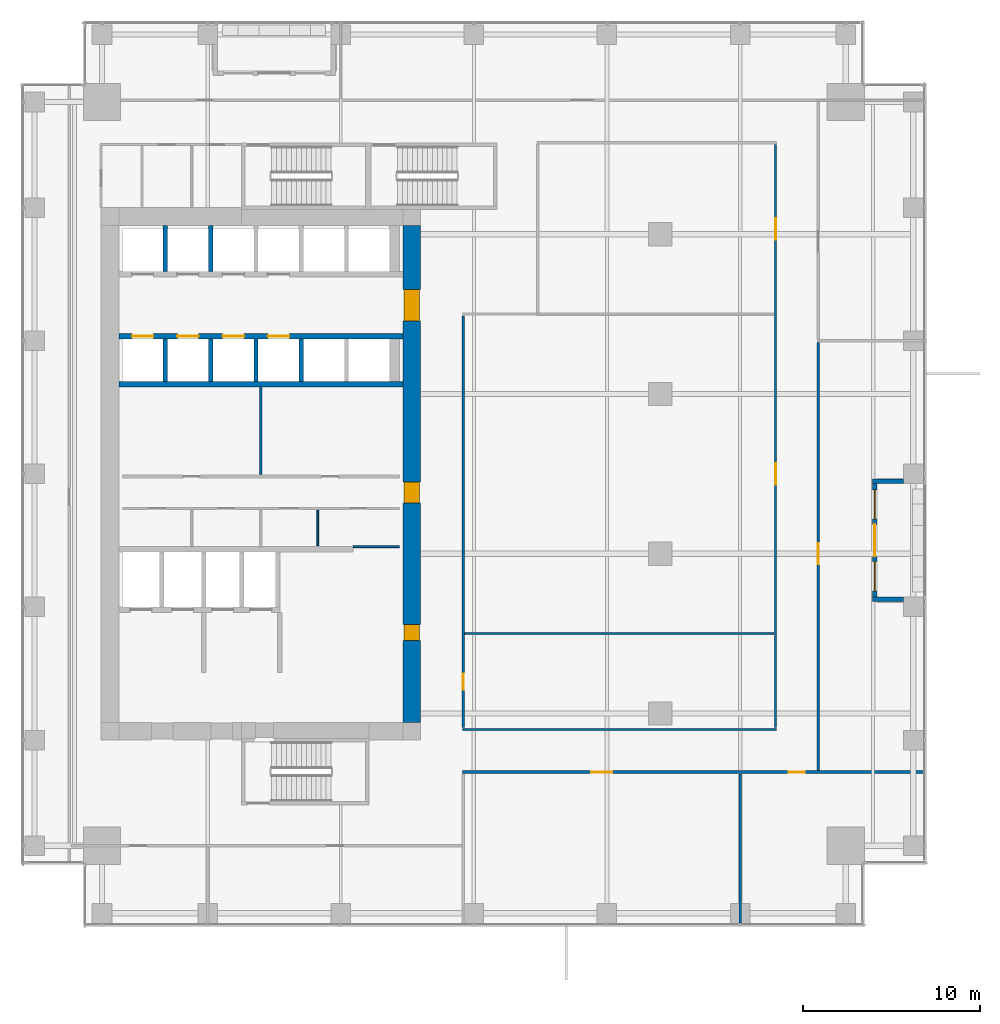
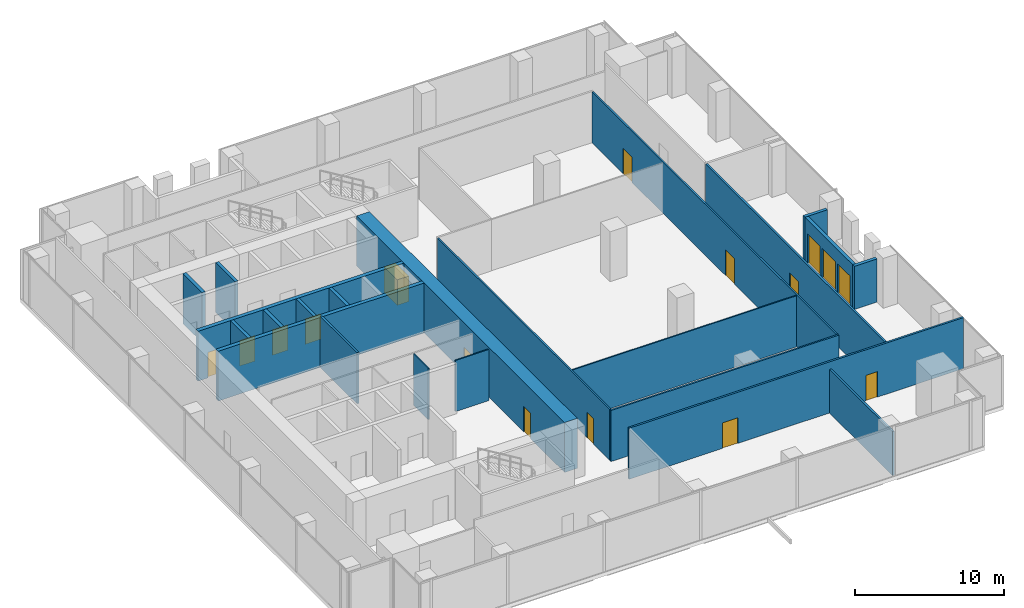
# One storey, part 29 of 34: 22 walls, 14 doors, 2 windows, 16 openings.
"""IFC4 building model written with IfcOpenShell, lengths in metres."""

from ifc_helpers import new_model, si_unit, direction, frame, frame_2d, origin, place, context, subcontext, project, spatial, rectangle, extrude, source, transform, mapped, material, layer, layer_set, type_object, element, fill, save


model = new_model("IFC4")

# Units and contexts
model_context = context("Model", 3, precision=1e-05, world=origin(), true_north=direction((0.0, 1.0)))
body_context = subcontext(model_context, "Body", "Model", "MODEL_VIEW")
ifc_project = project(units=[si_unit("LENGTHUNIT", "METRE"), si_unit("AREAUNIT", "SQUARE_METRE"), si_unit("VOLUMEUNIT", "CUBIC_METRE"), si_unit("PLANEANGLEUNIT", "RADIAN"), si_unit("MASSUNIT", "GRAM", prefix="KILO")], contexts=[model_context])

# Site, building, storey
site_placement = place(None, origin())
site = spatial("IfcSite", under=ifc_project, at=site_placement, CompositionType="ELEMENT")
building_placement = place(site_placement, origin())
building = spatial("IfcBuilding", under=site, at=building_placement, Name="Khomas Fold Tower", CompositionType="ELEMENT")
storey_placement = place(building_placement, frame((0.0, 0.0, 145.5)))
storey = spatial("IfcBuildingStorey", under=building, at=storey_placement, Name="L31", CompositionType="ELEMENT", Elevation=145.5)

# Wall, openings, doors
ifc_material_1 = material(Name="Concrete C70/85", Category="concrete")
ifc_layer_1 = layer(ifc_material_1, 1.0)
ifc_layer_set_1 = layer_set([ifc_layer_1], Name="Concrete C70/85")
wall_type_1 = type_object("IfcWallType", Name="Core wall 1000", PredefinedType="SHEAR", material=ifc_layer_set_1)
shared_shape_1 = source(origin(), body_context, "Body", "SweptSolid", [
    extrude(rectangle(XDim=28.0, YDim=1.0, at=frame_2d((14.0, 0.0))), origin(), (0.0, 0.0, 1.0), 4.10009765625),
])
wall_1_placement = place(storey_placement, frame((23.5, 13.0, 0.0), z_axis=(0.0, 0.0, 1.0), x_axis=(0.0, 1.0, 0.0)))
wall_1 = element("IfcWall", 1, at=wall_1_placement, inside=storey, type_object=wall_type_1, Name="Core wall CW-L-E-L21", PredefinedType="SHEAR", context=body_context, shape_type="MappedRepresentation", body=[
    mapped(shared_shape_1, transform((0.0, 0.0, 0.0))),
])
shared_shape_2 = source(origin(), body_context, "Body", "SweptSolid", [
    extrude(rectangle(XDim=1.800048828125, YDim=2.10009765625, at=frame_2d((0.89990234375, 1.050048828125))), frame((0.0, 0.510009765625, 0.0), z_axis=(0.0, -1.0, 0.0), x_axis=(1.0, 0.0, 0.0)), (0.0, 0.0, 1.0), 1.02001953125),
])
opening_1_placement = place(wall_1_placement, frame((22.60009765625, 0.0, 0.0)))
opening_1 = element("IfcOpeningElement", 2, at=opening_1_placement, cuts=wall_1, Name="Opening 0015", PredefinedType="OPENING", context=body_context, shape_type="MappedRepresentation", body=[
    mapped(shared_shape_2, transform((0.0, 0.0, 0.0))),
])
shared_shape_3 = source(origin(), body_context, "Body", "SweptSolid", [
    extrude(rectangle(XDim=1.199951171875, YDim=2.10009765625, at=frame_2d((0.60009765625, 1.050048828125))), frame((0.0, 0.510009765625, 0.0), z_axis=(0.0, -1.0, 0.0), x_axis=(1.0, 0.0, 0.0)), (0.0, 0.0, 1.0), 1.02001953125),
])
opening_2_placement = place(wall_1_placement, frame((12.35009765625, 0.0, 0.0)))
opening_2 = element("IfcOpeningElement", 3, at=opening_2_placement, cuts=wall_1, Name="Opening 0001", PredefinedType="OPENING", context=body_context, shape_type="MappedRepresentation", body=[
    mapped(shared_shape_3, transform((0.0, 0.0, 0.0))),
])
shared_shape_4 = source(origin(), body_context, "Body", "SweptSolid", [
    extrude(rectangle(XDim=0.89990234375, YDim=2.10009765625, at=frame_2d((0.449951171875, 1.050048828125))), frame((0.0, 0.510009765625, 0.0), z_axis=(0.0, -1.0, 0.0), x_axis=(1.0, 0.0, 0.0)), (0.0, 0.0, 1.0), 1.02001953125),
])
opening_3_placement = place(wall_1_placement, frame((4.60009765625, 0.0, 0.0)))
opening_3 = element("IfcOpeningElement", 4, at=opening_3_placement, cuts=wall_1, Name="Opening 0008", PredefinedType="OPENING", context=body_context, shape_type="MappedRepresentation", body=[
    mapped(shared_shape_4, transform((0.0, 0.0, 0.0))),
])
ifc_material_2 = material(Name="Steel door leaf", Category="steel")
door_type_1 = type_object("IfcDoorType", Name="Lobby door 1800x2100", OperationType="DOUBLE_DOOR_SINGLE_SWING", PredefinedType="DOOR", material=ifc_material_2)
shared_shape_5 = source(origin(), body_context, "Body", "SweptSolid", [
    extrude(rectangle(XDim=1.800048828125, YDim=2.10009765625, at=frame_2d((0.89990234375, 1.050048828125))), frame((0.0, 0.449951171875, 0.0), z_axis=(0.0, -1.0, 0.0), x_axis=(1.0, 0.0, 0.0)), (0.0, 0.0, 1.0), 0.89990234375),
])
door_1_placement = place(opening_1_placement, origin())
door_1 = element("IfcDoor", 5, at=door_1_placement, inside=storey, type_object=door_type_1, Name="Lobby door", OperationType="DOUBLE_DOOR_SINGLE_SWING", OverallHeight=2.10009765625, OverallWidth=1.800048828125, PredefinedType="DOOR", context=body_context, shape_type="MappedRepresentation", body=[
    mapped(shared_shape_5, transform((0.0, 0.0, 0.0))),
])
fill(opening_1, door_1)
ifc_material_3 = material(Name="Timber door leaf", Category="wood")
door_type_2 = type_object("IfcDoorType", Name="Door 1200x2100 right-hand", OperationType="SINGLE_SWING_RIGHT", PredefinedType="DOOR", material=ifc_material_3)
shared_shape_6 = source(origin(), body_context, "Body", "SweptSolid", [
    extrude(rectangle(XDim=1.199951171875, YDim=2.10009765625, at=frame_2d((0.60009765625, 1.050048828125))), frame((0.0, 0.449951171875, 0.0), z_axis=(0.0, -1.0, 0.0), x_axis=(1.0, 0.0, 0.0)), (0.0, 0.0, 1.0), 0.89990234375),
])
door_2_placement = place(opening_2_placement, origin())
door_2 = element("IfcDoor", 6, at=door_2_placement, inside=storey, type_object=door_type_2, Name="Door", OperationType="SINGLE_SWING_RIGHT", OverallHeight=2.10009765625, OverallWidth=1.199951171875, PredefinedType="DOOR", context=body_context, shape_type="MappedRepresentation", body=[
    mapped(shared_shape_6, transform((0.0, 0.0, 0.0))),
])
fill(opening_2, door_2)
ifc_material_4 = material(Name="Timber door leaf", Category="wood")
door_type_3 = type_object("IfcDoorType", Name="Door 900x2100 right-hand", OperationType="SINGLE_SWING_RIGHT", PredefinedType="DOOR", material=ifc_material_4)
shared_shape_7 = source(origin(), body_context, "Body", "SweptSolid", [
    extrude(rectangle(XDim=0.89990234375, YDim=2.10009765625, at=frame_2d((0.449951171875, 1.050048828125))), frame((0.0, 0.449951171875, 0.0), z_axis=(0.0, -1.0, 0.0), x_axis=(1.0, 0.0, 0.0)), (0.0, 0.0, 1.0), 0.89990234375),
])
door_3_placement = place(opening_3_placement, origin())
door_3 = element("IfcDoor", 7, at=door_3_placement, inside=storey, type_object=door_type_3, Name="Door", OperationType="SINGLE_SWING_RIGHT", OverallHeight=2.10009765625, OverallWidth=0.89990234375, PredefinedType="DOOR", context=body_context, shape_type="MappedRepresentation", body=[
    mapped(shared_shape_7, transform((0.0, 0.0, 0.0))),
])
fill(opening_3, door_3)

# Wall
ifc_material_5 = material(Name="Concrete C50/60", Category="concrete")
ifc_layer_2 = layer(ifc_material_5, 0.300048828125)
ifc_layer_set_2 = layer_set([ifc_layer_2], Name="Concrete C50/60")
wall_type_2 = type_object("IfcWallType", Name="Shaft wall 300", PredefinedType="STANDARD", material=ifc_layer_set_2)
shared_shape_8 = source(origin(), body_context, "Body", "SweptSolid", [
    extrude(rectangle(XDim=16.0, YDim=0.300048828125, at=frame_2d((8.0, 0.0))), origin(), (0.0, 0.0, 1.0), 4.10009765625),
])
wall_2_placement = place(storey_placement, frame((7.0, 32.050048828125, 0.0), z_axis=(0.0, 0.0, 1.0), x_axis=(1.0, 0.0, 0.0)))
element("IfcWall", 8, at=wall_2_placement, inside=storey, type_object=wall_type_2, Name="Core wall SW-HRN-B", PredefinedType="STANDARD", context=body_context, shape_type="MappedRepresentation", body=[
    mapped(shared_shape_8, transform((0.0, 0.0, 0.0))),
])

# Wall, openings, doors
wall_3_placement = place(storey_placement, frame((7.0, 34.75, 0.0), z_axis=(0.0, 0.0, 1.0), x_axis=(1.0, 0.0, 0.0)))
wall_3 = element("IfcWall", 9, at=wall_3_placement, inside=storey, type_object=wall_type_2, Name="Core wall SW-LRS-F", PredefinedType="STANDARD", context=body_context, shape_type="MappedRepresentation", body=[
    mapped(shared_shape_8, transform((0.0, 0.0, 0.0))),
])
shared_shape_9 = source(origin(), body_context, "Body", "SweptSolid", [
    extrude(rectangle(XDim=1.199951171875, YDim=2.10009765625, at=frame_2d((0.60009765625, 1.050048828125))), frame((0.0, 0.159912109375, 0.0), z_axis=(0.0, -1.0, 0.0), x_axis=(1.0, 0.0, 0.0)), (0.0, 0.0, 1.0), 0.320068359375),
])
opening_4_placement = place(wall_3_placement, frame((0.75, 0.0, 0.0)))
opening_4 = element("IfcOpeningElement", 10, at=opening_4_placement, cuts=wall_3, Name="Opening LD-LR1", PredefinedType="OPENING", context=body_context, shape_type="MappedRepresentation", body=[
    mapped(shared_shape_9, transform((0.0, 0.0, 0.0))),
])
opening_5_placement = place(wall_3_placement, frame((3.300048828125, 0.0, 0.0)))
opening_5 = element("IfcOpeningElement", 11, at=opening_5_placement, cuts=wall_3, Name="Opening LD-LR2", PredefinedType="OPENING", context=body_context, shape_type="MappedRepresentation", body=[
    mapped(shared_shape_9, transform((0.0, 0.0, 0.0))),
])
opening_6_placement = place(wall_3_placement, frame((5.85009765625, 0.0, 0.0)))
opening_6 = element("IfcOpeningElement", 12, at=opening_6_placement, cuts=wall_3, Name="Opening LD-LR3", PredefinedType="OPENING", context=body_context, shape_type="MappedRepresentation", body=[
    mapped(shared_shape_9, transform((0.0, 0.0, 0.0))),
])
opening_7_placement = place(wall_3_placement, frame((8.39990234375, 0.0, 0.0)))
opening_7 = element("IfcOpeningElement", 13, at=opening_7_placement, cuts=wall_3, Name="Opening LD-LR4", PredefinedType="OPENING", context=body_context, shape_type="MappedRepresentation", body=[
    mapped(shared_shape_9, transform((0.0, 0.0, 0.0))),
])
ifc_material_6 = material(Name="Steel door leaf", Category="steel")
door_type_4 = type_object("IfcDoorType", Name="Landing door 1200x2100", OperationType="DOUBLE_DOOR_SLIDING", PredefinedType="DOOR", material=ifc_material_6)
shared_shape_10 = source(origin(), body_context, "Body", "SweptSolid", [
    extrude(rectangle(XDim=1.199951171875, YDim=2.10009765625, at=frame_2d((0.60009765625, 1.050048828125))), frame((0.0, 0.02490234375, 0.0), z_axis=(0.0, -1.0, 0.0), x_axis=(1.0, 0.0, 0.0)), (0.0, 0.0, 1.0), 0.050048828125),
])
door_4_placement = place(opening_4_placement, origin())
door_4 = element("IfcDoor", 14, at=door_4_placement, inside=storey, type_object=door_type_4, Name="Lift landing door", OperationType="DOUBLE_DOOR_SLIDING", OverallHeight=2.10009765625, OverallWidth=1.199951171875, PredefinedType="DOOR", context=body_context, shape_type="MappedRepresentation", body=[
    mapped(shared_shape_10, transform((0.0, 0.0, 0.0))),
])
fill(opening_4, door_4)
door_5_placement = place(opening_5_placement, origin())
door_5 = element("IfcDoor", 15, at=door_5_placement, inside=storey, type_object=door_type_4, Name="Lift landing door", OperationType="DOUBLE_DOOR_SLIDING", OverallHeight=2.10009765625, OverallWidth=1.199951171875, PredefinedType="DOOR", context=body_context, shape_type="MappedRepresentation", body=[
    mapped(shared_shape_10, transform((0.0, 0.0, 0.0))),
])
fill(opening_5, door_5)
door_6_placement = place(opening_6_placement, origin())
door_6 = element("IfcDoor", 16, at=door_6_placement, inside=storey, type_object=door_type_4, Name="Lift landing door", OperationType="DOUBLE_DOOR_SLIDING", OverallHeight=2.10009765625, OverallWidth=1.199951171875, PredefinedType="DOOR", context=body_context, shape_type="MappedRepresentation", body=[
    mapped(shared_shape_10, transform((0.0, 0.0, 0.0))),
])
fill(opening_6, door_6)
door_7_placement = place(opening_7_placement, origin())
door_7 = element("IfcDoor", 17, at=door_7_placement, inside=storey, type_object=door_type_4, Name="Lift landing door", OperationType="DOUBLE_DOOR_SLIDING", OverallHeight=2.10009765625, OverallWidth=1.199951171875, PredefinedType="DOOR", context=body_context, shape_type="MappedRepresentation", body=[
    mapped(shared_shape_10, transform((0.0, 0.0, 0.0))),
])
fill(opening_7, door_7)

# Walls
ifc_material_7 = material(Name="Concrete C50/60", Category="concrete")
ifc_layer_3 = layer(ifc_material_7, 0.25)
ifc_layer_set_3 = layer_set([ifc_layer_3], Name="Concrete C50/60")
wall_type_3 = type_object("IfcWallType", Name="Shaft wall 250", PredefinedType="STANDARD", material=ifc_layer_set_3)
shared_shape_11 = source(origin(), body_context, "Body", "SweptSolid", [
    extrude(rectangle(XDim=2.60009765625, YDim=0.25, at=frame_2d((1.300048828125, 0.0))), origin(), (0.0, 0.0, 1.0), 4.10009765625),
])
for number, where, z_axis, x_axis, name in (
    (18, (9.625, 38.39990234375, 0.0), (0.0, 0.0, 1.0), (0.0, 1.0, 0.0), "Core wall SW-LRN-P1"),
    (19, (12.175048828125, 38.39990234375, 0.0), (0.0, 0.0, 1.0), (0.0, 1.0, 0.0), "Core wall SW-LRN-P2"),
):
    element("IfcWall", number, at=place(storey_placement, frame(where, z_axis=z_axis, x_axis=x_axis)), inside=storey, type_object=wall_type_3, Name=name, PredefinedType="STANDARD", context=body_context, shape_type="MappedRepresentation", body=[
        mapped(shared_shape_11, transform((0.0, 0.0, 0.0))),
    ])
shared_shape_12 = source(origin(), body_context, "Body", "SweptSolid", [
    extrude(rectangle(XDim=2.400146484375, YDim=0.25, at=frame_2d((1.2001953125, 0.0))), origin(), (0.0, 0.0, 1.0), 4.10009765625),
])
for number, where, z_axis, x_axis, name in (
    (20, (9.625, 32.199951171875, 0.0), (0.0, 0.0, 1.0), (0.0, 1.0, 0.0), "Core wall SW-LRS-P1"),
    (21, (12.175048828125, 32.199951171875, 0.0), (0.0, 0.0, 1.0), (0.0, 1.0, 0.0), "Core wall SW-LRS-P2"),
    (22, (14.72509765625, 32.199951171875, 0.0), (0.0, 0.0, 1.0), (0.0, 1.0, 0.0), "Core wall SW-LRS-P3"),
    (23, (17.27490234375, 32.199951171875, 0.0), (0.0, 0.0, 1.0), (0.0, 1.0, 0.0), "Core wall SW-LRS-P4"),
):
    element("IfcWall", number, at=place(storey_placement, frame(where, z_axis=z_axis, x_axis=x_axis)), inside=storey, type_object=wall_type_3, Name=name, PredefinedType="STANDARD", context=body_context, shape_type="MappedRepresentation", body=[
        mapped(shared_shape_12, transform((0.0, 0.0, 0.0))),
    ])

# Wall, openings, door, windows
ifc_material_8 = material(Name="Natural stone", Category="masonry")
ifc_layer_4 = layer(ifc_material_8, 0.0400390625)
ifc_material_9 = material(Name="Mineral wool insulation", Category="insulation")
ifc_layer_5 = layer(ifc_material_9, 0.10009765625)
ifc_material_10 = material(Name="Masonry", Category="masonry")
ifc_layer_6 = layer(ifc_material_10, 0.110107421875)
ifc_layer_set_4 = layer_set([ifc_layer_4, ifc_layer_5, ifc_layer_6], Name="Stone-faced insulated masonry")
wall_type_4 = type_object("IfcWallType", Name="BL-Balcony wall", PredefinedType="SOLIDWALL", material=ifc_layer_set_4)
shared_shape_13 = source(origin(), body_context, "Body", "SweptSolid", [
    extrude(rectangle(XDim=6.39990234375, YDim=0.25, at=frame_2d((3.199951171875, 0.0))), origin(), (0.0, 0.0, 1.0), 3.550048828125),
])
wall_4_placement = place(storey_placement, frame((49.574951171875, 20.050048828125, 0.0), z_axis=(0.0, 0.0, 1.0), x_axis=(0.0, 1.0, 0.0)))
wall_4 = element("IfcWall", 24, at=wall_4_placement, inside=storey, type_object=wall_type_4, Name="Balcony wall BAL-L31-E2", PredefinedType="SOLIDWALL", context=body_context, shape_type="MappedRepresentation", body=[
    mapped(shared_shape_13, transform((0.0, 0.0, 0.0))),
])
shared_shape_14 = source(origin(), body_context, "Body", "SweptSolid", [
    extrude(rectangle(XDim=1.64990234375, YDim=2.39990234375, at=frame_2d((0.824951171875, 1.199951171875))), frame((0.0, 0.135009765625, 0.0), z_axis=(0.0, -1.0, 0.0), x_axis=(1.0, 0.0, 0.0)), (0.0, 0.0, 1.0), 0.27001953125),
])
opening_8_placement = place(wall_4_placement, frame((0.35009765625, 0.0, 0.0)))
opening_8 = element("IfcOpeningElement", 25, at=opening_8_placement, cuts=wall_4, Name="Opening BL-W2", PredefinedType="OPENING", context=body_context, shape_type="MappedRepresentation", body=[
    mapped(shared_shape_14, transform((0.0, 0.0, 0.0))),
])
opening_9_placement = place(wall_4_placement, frame((4.39990234375, 0.0, 0.0)))
opening_9 = element("IfcOpeningElement", 26, at=opening_9_placement, cuts=wall_4, Name="Opening BL-W2", PredefinedType="OPENING", context=body_context, shape_type="MappedRepresentation", body=[
    mapped(shared_shape_14, transform((0.0, 0.0, 0.0))),
])
shared_shape_15 = source(origin(), body_context, "Body", "SweptSolid", [
    extrude(rectangle(XDim=1.800048828125, YDim=2.39990234375, at=frame_2d((0.89990234375, 1.199951171875))), frame((0.0, 0.135009765625, 0.0), z_axis=(0.0, -1.0, 0.0), x_axis=(1.0, 0.0, 0.0)), (0.0, 0.0, 1.0), 0.27001953125),
])
opening_10_placement = place(wall_4_placement, frame((2.300048828125, 0.0, 0.0)))
opening_10 = element("IfcOpeningElement", 27, at=opening_10_placement, cuts=wall_4, Name="Opening BD311", PredefinedType="OPENING", context=body_context, shape_type="MappedRepresentation", body=[
    mapped(shared_shape_15, transform((0.0, 0.0, 0.0))),
])
ifc_material_11 = material(Name="Aluminium framed double glazing", Category="aluminium")
door_type_5 = type_object("IfcDoorType", Name="BL-Glazed balcony door 1800 x 2400", OperationType="DOUBLE_DOOR_DOUBLE_SWING", PredefinedType="DOOR", material=ifc_material_11)
shared_shape_16 = source(origin(), body_context, "Body", "SweptSolid", [
    extrude(rectangle(XDim=1.800048828125, YDim=2.39990234375, at=frame_2d((0.89990234375, 1.199951171875))), frame((0.0, 0.02490234375, 0.0), z_axis=(0.0, -1.0, 0.0), x_axis=(1.0, 0.0, 0.0)), (0.0, 0.0, 1.0), 0.050048828125),
])
door_8_placement = place(opening_10_placement, origin())
door_8 = element("IfcDoor", 28, at=door_8_placement, inside=storey, type_object=door_type_5, Name="Balcony door BD311", OperationType="DOUBLE_DOOR_DOUBLE_SWING", OverallHeight=2.39990234375, OverallWidth=1.800048828125, PredefinedType="DOOR", context=body_context, shape_type="MappedRepresentation", body=[
    mapped(shared_shape_16, transform((0.0, 0.0, 0.0))),
])
fill(opening_10, door_8)
ifc_material_12 = material(Name="Aluminium framed double glazing", Category="aluminium")
window_type = type_object("IfcWindowType", Name="BL-Fixed glazing 1650 x 2400", PartitioningType="SINGLE_PANEL", PredefinedType="WINDOW", material=ifc_material_12)
shared_shape_17 = source(origin(), body_context, "Body", "SweptSolid", [
    extrude(rectangle(XDim=1.64990234375, YDim=2.39990234375, at=frame_2d((0.824951171875, 1.199951171875))), frame((0.0, 0.030029296875, 0.0), z_axis=(0.0, -1.0, 0.0), x_axis=(1.0, 0.0, 0.0)), (0.0, 0.0, 1.0), 0.06005859375),
])
window_1_placement = place(opening_8_placement, origin())
window_1 = element("IfcWindow", 29, at=window_1_placement, inside=storey, type_object=window_type, Name="Balcony glazing BAL-L31-E2-1", OverallHeight=2.39990234375, OverallWidth=1.64990234375, PartitioningType="SINGLE_PANEL", PredefinedType="WINDOW", context=body_context, shape_type="MappedRepresentation", body=[
    mapped(shared_shape_17, transform((0.0, 0.0, 0.0))),
])
fill(opening_8, window_1)
window_2_placement = place(opening_9_placement, origin())
window_2 = element("IfcWindow", 30, at=window_2_placement, inside=storey, type_object=window_type, Name="Balcony glazing BAL-L31-E2-2", OverallHeight=2.39990234375, OverallWidth=1.64990234375, PartitioningType="SINGLE_PANEL", PredefinedType="WINDOW", context=body_context, shape_type="MappedRepresentation", body=[
    mapped(shared_shape_17, transform((0.0, 0.0, 0.0))),
])
fill(opening_9, window_2)

# Walls
shared_shape_18 = source(origin(), body_context, "Body", "SweptSolid", [
    extrude(rectangle(XDim=1.75, YDim=0.25, at=frame_2d((0.875, 0.0))), origin(), (0.0, 0.0, 1.0), 3.550048828125),
])
for number, where, z_axis, x_axis, name in (
    (31, (51.199951171875, 19.925048828125, 0.0), (0.0, 0.0, 1.0), (-1.0, 0.0, 0.0), "Balcony return wall BAL-L31-E2-lo"),
    (32, (51.199951171875, 26.574951171875, 0.0), (0.0, 0.0, 1.0), (-1.0, 0.0, 0.0), "Balcony return wall BAL-L31-E2-hi"),
):
    element("IfcWall", number, at=place(storey_placement, frame(where, z_axis=z_axis, x_axis=x_axis)), inside=storey, type_object=wall_type_4, Name=name, PredefinedType="SOLIDWALL", context=body_context, shape_type="MappedRepresentation", body=[
        mapped(shared_shape_18, transform((0.0, 0.0, 0.0))),
    ])
ifc_material_13 = material(Name="Plasterboard partition")
ifc_layer_7 = layer(ifc_material_13, 0.10009765625)
ifc_layer_set_5 = layer_set([ifc_layer_7], Name="Plasterboard partition")
wall_type_5 = type_object("IfcWallType", Name="Partition PW1 100", PredefinedType="PARTITIONING", material=ifc_layer_set_5)
shared_shape_19 = source(origin(), body_context, "Body", "SweptSolid", [
    extrude(rectangle(XDim=2.60009765625, YDim=0.10009765625, at=frame_2d((1.300048828125, 0.0))), origin(), (0.0, 0.0, 1.0), 4.199951171875),
])
wall_5_placement = place(storey_placement, frame((20.199951171875, 22.89990234375, 0.0), z_axis=(0.0, 0.0, 1.0), x_axis=(1.0, 0.0, 0.0)))
element("IfcWall", 33, at=wall_5_placement, inside=storey, type_object=wall_type_5, Name="Partition", PredefinedType="PARTITIONING", context=body_context, shape_type="MappedRepresentation", body=[
    mapped(shared_shape_19, transform((0.0, 0.0, 0.0))),
])
shared_shape_20 = source(origin(), body_context, "Body", "SweptSolid", [
    extrude(rectangle(XDim=2.0, YDim=0.10009765625, at=frame_2d((1.0, 0.0))), origin(), (0.0, 0.0, 1.0), 4.199951171875),
])
wall_6_placement = place(storey_placement, frame((18.199951171875, 22.949951171875, 0.0), z_axis=(0.0, 0.0, 1.0), x_axis=(0.0, 1.0, 0.0)))
element("IfcWall", 34, at=wall_6_placement, inside=storey, type_object=wall_type_5, Name="Partition", PredefinedType="PARTITIONING", context=body_context, shape_type="MappedRepresentation", body=[
    mapped(shared_shape_20, transform((0.0, 0.0, 0.0))),
])
ifc_material_14 = material(Name="Plasterboard fire partition")
ifc_layer_8 = layer(ifc_material_14, 0.14990234375)
ifc_layer_set_6 = layer_set([ifc_layer_8], Name="Plasterboard fire partition")
wall_type_6 = type_object("IfcWallType", Name="Plant room wall PW3 150", PredefinedType="PARTITIONING", material=ifc_layer_set_6)
shared_shape_21 = source(origin(), body_context, "Body", "SweptSolid", [
    extrude(rectangle(XDim=4.949951171875, YDim=0.14990234375, at=frame_2d((2.47509765625, 0.0))), origin(), (0.0, 0.0, 1.0), 4.199951171875),
])
wall_7_placement = place(storey_placement, frame((15.0, 26.949951171875, 0.0), z_axis=(0.0, 0.0, 1.0), x_axis=(0.0, 1.0, 0.0)))
element("IfcWall", 35, at=wall_7_placement, inside=storey, type_object=wall_type_6, Name="Plant room wall", PredefinedType="PARTITIONING", context=body_context, shape_type="MappedRepresentation", body=[
    mapped(shared_shape_21, transform((0.0, 0.0, 0.0))),
])
ifc_material_15 = material(Name="Plasterboard partition")
ifc_layer_9 = layer(ifc_material_15, 0.125)
ifc_layer_set_7 = layer_set([ifc_layer_9], Name="Plasterboard partition")
wall_type_7 = type_object("IfcWallType", Name="Partition PW2 125", PredefinedType="PARTITIONING", material=ifc_layer_set_7)
shared_shape_22 = source(origin(), body_context, "Body", "SweptSolid", [
    extrude(rectangle(XDim=17.699951171875, YDim=0.125, at=frame_2d((8.85009765625, 0.0))), origin(), (0.0, 0.0, 1.0), 4.199951171875),
])
wall_8_placement = place(storey_placement, frame((26.35009765625, 12.60009765625, 0.0), z_axis=(0.0, 0.0, 1.0), x_axis=(1.0, 0.0, 0.0)))
element("IfcWall", 36, at=wall_8_placement, inside=storey, type_object=wall_type_7, Name="Partition", PredefinedType="PARTITIONING", context=body_context, shape_type="MappedRepresentation", body=[
    mapped(shared_shape_22, transform((0.0, 0.0, 0.0))),
])

# Wall, opening, door
shared_shape_23 = source(origin(), body_context, "Body", "SweptSolid", [
    extrude(rectangle(XDim=23.199951171875, YDim=0.125, at=frame_2d((11.60009765625, 0.0))), origin(), (0.0, 0.0, 1.0), 4.199951171875),
])
wall_9_placement = place(storey_placement, frame((26.39990234375, 12.699951171875, 0.0), z_axis=(0.0, 0.0, 1.0), x_axis=(0.0, 1.0, 0.0)))
wall_9 = element("IfcWall", 37, at=wall_9_placement, inside=storey, type_object=wall_type_7, Name="Partition", PredefinedType="PARTITIONING", context=body_context, shape_type="MappedRepresentation", body=[
    mapped(shared_shape_23, transform((0.0, 0.0, 0.0))),
])
shared_shape_24 = source(origin(), body_context, "Body", "SweptSolid", [
    extrude(rectangle(XDim=0.89990234375, YDim=2.10009765625, at=frame_2d((0.449951171875, 1.050048828125))), frame((0.0, 0.072509765625, 0.0), z_axis=(0.0, -1.0, 0.0), x_axis=(1.0, 0.0, 0.0)), (0.0, 0.0, 1.0), 0.14501953125),
])
opening_11_placement = place(wall_9_placement, frame((2.14990234375, 0.0, 0.0)))
opening_11 = element("IfcOpeningElement", 38, at=opening_11_placement, cuts=wall_9, Name="Opening 0007", PredefinedType="OPENING", context=body_context, shape_type="MappedRepresentation", body=[
    mapped(shared_shape_24, transform((0.0, 0.0, 0.0))),
])
ifc_material_16 = material(Name="Timber door leaf", Category="wood")
door_type_6 = type_object("IfcDoorType", Name="Door 900x2100 left-hand", OperationType="SINGLE_SWING_LEFT", PredefinedType="DOOR", material=ifc_material_16)
shared_shape_25 = source(origin(), body_context, "Body", "SweptSolid", [
    extrude(rectangle(XDim=0.89990234375, YDim=2.10009765625, at=frame_2d((0.449951171875, 1.050048828125))), frame((0.0, 0.02490234375, 0.0), z_axis=(0.0, -1.0, 0.0), x_axis=(1.0, 0.0, 0.0)), (0.0, 0.0, 1.0), 0.050048828125),
])
door_9_placement = place(opening_11_placement, origin())
door_9 = element("IfcDoor", 39, at=door_9_placement, inside=storey, type_object=door_type_6, Name="Door", OperationType="SINGLE_SWING_LEFT", OverallHeight=2.10009765625, OverallWidth=0.89990234375, PredefinedType="DOOR", context=body_context, shape_type="MappedRepresentation", body=[
    mapped(shared_shape_25, transform((0.0, 0.0, 0.0))),
])
fill(opening_11, door_9)

# Wall, openings, doors
shared_shape_26 = source(origin(), body_context, "Body", "SweptSolid", [
    extrude(rectangle(XDim=32.85009765625, YDim=0.125, at=frame_2d((16.425048828125, 0.0))), origin(), (0.0, 0.0, 1.0), 4.199951171875),
])
wall_10_placement = place(storey_placement, frame((44.0, 12.699951171875, 0.0), z_axis=(0.0, 0.0, 1.0), x_axis=(0.0, 1.0, 0.0)))
wall_10 = element("IfcWall", 40, at=wall_10_placement, inside=storey, type_object=wall_type_7, Name="Partition", PredefinedType="PARTITIONING", context=body_context, shape_type="MappedRepresentation", body=[
    mapped(shared_shape_26, transform((0.0, 0.0, 0.0))),
])
shared_shape_27 = source(origin(), body_context, "Body", "SweptSolid", [
    extrude(rectangle(XDim=1.199951171875, YDim=2.10009765625, at=frame_2d((0.60009765625, 1.050048828125))), frame((0.0, 0.072509765625, 0.0), z_axis=(0.0, -1.0, 0.0), x_axis=(1.0, 0.0, 0.0)), (0.0, 0.0, 1.0), 0.14501953125),
])
opening_12_placement = place(wall_10_placement, frame((13.699951171875, 0.0, 0.0)))
opening_12 = element("IfcOpeningElement", 41, at=opening_12_placement, cuts=wall_10, Name="Opening 0013", PredefinedType="OPENING", context=body_context, shape_type="MappedRepresentation", body=[
    mapped(shared_shape_27, transform((0.0, 0.0, 0.0))),
])
opening_13_placement = place(wall_10_placement, frame((27.5, 0.0, 0.0)))
opening_13 = element("IfcOpeningElement", 42, at=opening_13_placement, cuts=wall_10, Name="Opening 0001", PredefinedType="OPENING", context=body_context, shape_type="MappedRepresentation", body=[
    mapped(shared_shape_27, transform((0.0, 0.0, 0.0))),
])
ifc_material_17 = material(Name="Timber door leaf", Category="wood")
door_type_7 = type_object("IfcDoorType", Name="Door 1200x2100 left-hand", OperationType="SINGLE_SWING_LEFT", PredefinedType="DOOR", material=ifc_material_17)
door_10_placement = place(opening_12_placement, origin())
door_10 = element("IfcDoor", 43, at=door_10_placement, inside=storey, type_object=door_type_7, Name="Door", OperationType="SINGLE_SWING_LEFT", OverallHeight=2.10009765625, OverallWidth=1.199951171875, PredefinedType="DOOR", context=body_context, shape_type="MappedRepresentation", body=[
    mapped(shared_shape_10, transform((0.0, 0.0, 0.0))),
])
fill(opening_12, door_10)
door_11_placement = place(opening_13_placement, origin())
door_11 = element("IfcDoor", 44, at=door_11_placement, inside=storey, type_object=door_type_2, Name="Door", OperationType="SINGLE_SWING_RIGHT", OverallHeight=2.10009765625, OverallWidth=1.199951171875, PredefinedType="DOOR", context=body_context, shape_type="MappedRepresentation", body=[
    mapped(shared_shape_10, transform((0.0, 0.0, 0.0))),
])
fill(opening_13, door_11)

# Wall
shared_shape_28 = source(origin(), body_context, "Body", "SweptSolid", [
    extrude(rectangle(XDim=17.39990234375, YDim=0.10009765625, at=frame_2d((8.699951171875, 0.0))), origin(), (0.0, 0.0, 1.0), 4.199951171875),
])
wall_11_placement = place(storey_placement, frame((26.5, 18.0, 0.0), z_axis=(0.0, 0.0, 1.0), x_axis=(1.0, 0.0, 0.0)))
element("IfcWall", 45, at=wall_11_placement, inside=storey, type_object=wall_type_5, Name="Partition", PredefinedType="PARTITIONING", context=body_context, shape_type="MappedRepresentation", body=[
    mapped(shared_shape_28, transform((0.0, 0.0, 0.0))),
])

# Wall, openings, doors
shared_shape_29 = source(origin(), body_context, "Body", "SweptSolid", [
    extrude(rectangle(XDim=26.0, YDim=0.14990234375, at=frame_2d((13.0, 0.0))), origin(), (0.0, 0.0, 1.0), 4.199951171875),
])
wall_12_placement = place(storey_placement, frame((26.35009765625, 10.199951171875, 0.0), z_axis=(0.0, 0.0, 1.0), x_axis=(1.0, 0.0, 0.0)))
wall_12 = element("IfcWall", 46, at=wall_12_placement, inside=storey, type_object=wall_type_6, Name="Plant room wall", PredefinedType="PARTITIONING", context=body_context, shape_type="MappedRepresentation", body=[
    mapped(shared_shape_29, transform((0.0, 0.0, 0.0))),
])
shared_shape_30 = source(origin(), body_context, "Body", "SweptSolid", [
    extrude(rectangle(XDim=1.199951171875, YDim=2.10009765625, at=frame_2d((0.60009765625, 1.050048828125))), frame((0.0, 0.0849609375, 0.0), z_axis=(0.0, -1.0, 0.0), x_axis=(1.0, 0.0, 0.0)), (0.0, 0.0, 1.0), 0.169921875),
])
opening_14_placement = place(wall_12_placement, frame((7.25, 0.0, 0.0)))
opening_14 = element("IfcOpeningElement", 47, at=opening_14_placement, cuts=wall_12, Name="Opening 0011", PredefinedType="OPENING", context=body_context, shape_type="MappedRepresentation", body=[
    mapped(shared_shape_30, transform((0.0, 0.0, 0.0))),
])
shared_shape_31 = source(origin(), body_context, "Body", "SweptSolid", [
    extrude(rectangle(XDim=0.89990234375, YDim=2.10009765625, at=frame_2d((0.449951171875, 1.050048828125))), frame((0.0, 0.0849609375, 0.0), z_axis=(0.0, -1.0, 0.0), x_axis=(1.0, 0.0, 0.0)), (0.0, 0.0, 1.0), 0.169921875),
])
opening_15_placement = place(wall_12_placement, frame((18.39990234375, 0.0, 0.0)))
opening_15 = element("IfcOpeningElement", 48, at=opening_15_placement, cuts=wall_12, Name="Opening 0002", PredefinedType="OPENING", context=body_context, shape_type="MappedRepresentation", body=[
    mapped(shared_shape_31, transform((0.0, 0.0, 0.0))),
])
ifc_material_18 = material(Name="Steel door leaf", Category="steel")
door_type_8 = type_object("IfcDoorType", Name="Plant room door 900x2100 left-hand", OperationType="SINGLE_SWING_LEFT", PredefinedType="DOOR", material=ifc_material_18)
door_12_placement = place(opening_15_placement, origin())
door_12 = element("IfcDoor", 49, at=door_12_placement, inside=storey, type_object=door_type_8, Name="Plant room door", OperationType="SINGLE_SWING_LEFT", OverallHeight=2.10009765625, OverallWidth=0.89990234375, PredefinedType="DOOR", context=body_context, shape_type="MappedRepresentation", body=[
    mapped(shared_shape_25, transform((0.0, 0.0, 0.0))),
])
fill(opening_15, door_12)
ifc_material_19 = material(Name="Steel door leaf", Category="steel")
door_type_9 = type_object("IfcDoorType", Name="Plant room door 1200x2100 right-hand", OperationType="SINGLE_SWING_RIGHT", PredefinedType="DOOR", material=ifc_material_19)
door_13_placement = place(opening_14_placement, origin())
door_13 = element("IfcDoor", 50, at=door_13_placement, inside=storey, type_object=door_type_9, Name="Plant room door", OperationType="SINGLE_SWING_RIGHT", OverallHeight=2.10009765625, OverallWidth=1.199951171875, PredefinedType="DOOR", context=body_context, shape_type="MappedRepresentation", body=[
    mapped(shared_shape_10, transform((0.0, 0.0, 0.0))),
])
fill(opening_14, door_13)

# Wall, opening, door
shared_shape_32 = source(origin(), body_context, "Body", "SweptSolid", [
    extrude(rectangle(XDim=24.099853515625, YDim=0.14990234375, at=frame_2d((12.0498046875, 0.0))), origin(), (0.0, 0.0, 1.0), 4.199951171875),
])
wall_13_placement = place(storey_placement, frame((46.39990234375, 10.300048828125, 0.0), z_axis=(0.0, 0.0, 1.0), x_axis=(0.0, 1.0, 0.0)))
wall_13 = element("IfcWall", 51, at=wall_13_placement, inside=storey, type_object=wall_type_6, Name="Plant room wall", PredefinedType="PARTITIONING", context=body_context, shape_type="MappedRepresentation", body=[
    mapped(shared_shape_32, transform((0.0, 0.0, 0.0))),
])
opening_16_placement = place(wall_13_placement, frame((11.60009765625, 0.0, 0.0)))
opening_16 = element("IfcOpeningElement", 52, at=opening_16_placement, cuts=wall_13, Name="Opening 0011", PredefinedType="OPENING", context=body_context, shape_type="MappedRepresentation", body=[
    mapped(shared_shape_30, transform((0.0, 0.0, 0.0))),
])
door_14_placement = place(opening_16_placement, origin())
door_14 = element("IfcDoor", 53, at=door_14_placement, inside=storey, type_object=door_type_9, Name="Plant room door", OperationType="SINGLE_SWING_RIGHT", OverallHeight=2.10009765625, OverallWidth=1.199951171875, PredefinedType="DOOR", context=body_context, shape_type="MappedRepresentation", body=[
    mapped(shared_shape_10, transform((0.0, 0.0, 0.0))),
])
fill(opening_16, door_14)

# Wall
shared_shape_33 = source(origin(), body_context, "Body", "SweptSolid", [
    extrude(rectangle(XDim=8.4501953125, YDim=0.14990234375, at=frame_2d((4.22509765625, 0.0))), origin(), (0.0, 0.0, 1.0), 3.60009765625),
])
wall_14_placement = place(storey_placement, frame((42.0, 1.64990234375, 0.0), z_axis=(0.0, 0.0, 1.0), x_axis=(0.0, 1.0, 0.0)))
element("IfcWall", 54, at=wall_14_placement, inside=storey, type_object=wall_type_6, Name="Plant room wall", PredefinedType="PARTITIONING", context=body_context, shape_type="MappedRepresentation", body=[
    mapped(shared_shape_33, transform((0.0, 0.0, 0.0))),
])

save(model, "model.ifc")
